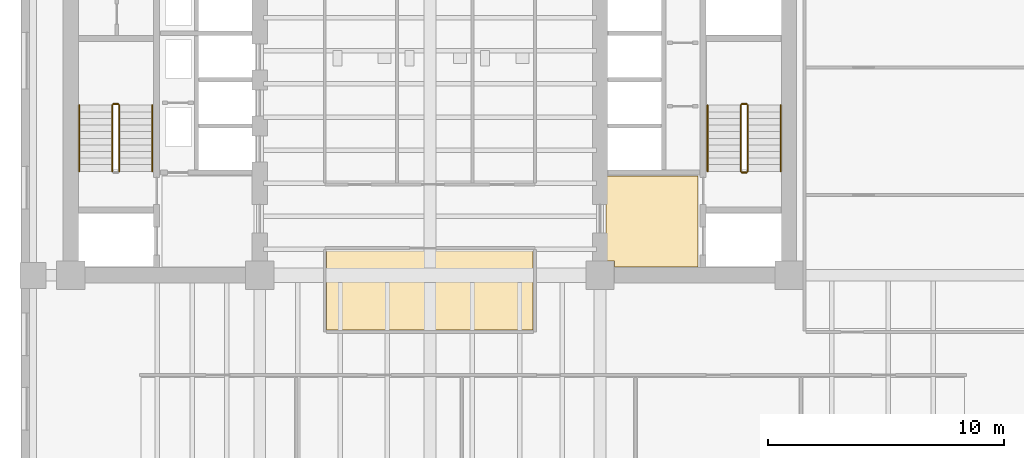
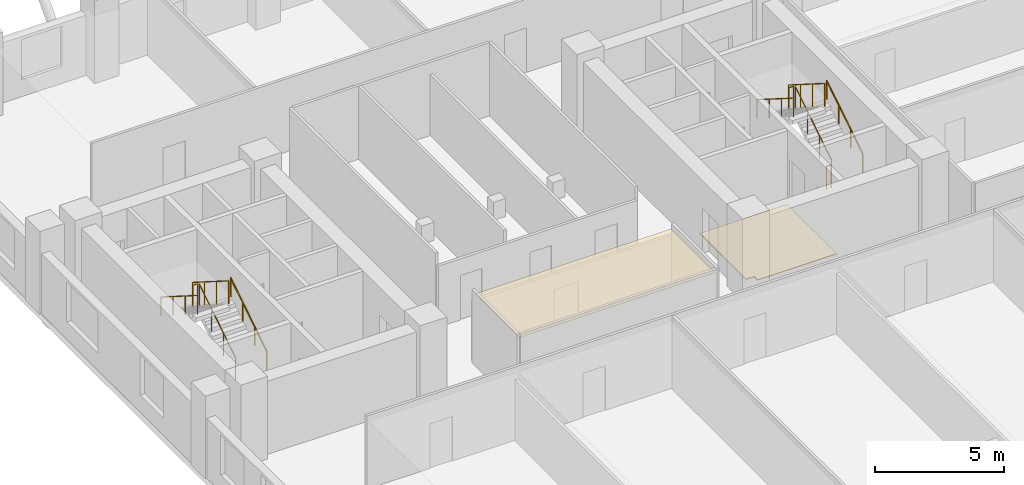
# One storey, part 10 of 12: 11 railings, 2 coverings.
"""IFC4 building model written with IfcOpenShell, lengths in metres."""

from ifc_helpers import new_model, si_unit, direction, frame, origin, origin_2d, place, context, subcontext, project, spatial, polyline, circle, outline, extrude, material, layer, layer_set, type_object, element, save


model = new_model("IFC4")

# Units and contexts
model_context = context("Model", 3, precision=1e-05, world=origin(), true_north=direction((0.0, 1.0)))
body_context = subcontext(model_context, "Body", "Model", "MODEL_VIEW")
ifc_project = project(units=[si_unit("LENGTHUNIT", "METRE"), si_unit("AREAUNIT", "SQUARE_METRE"), si_unit("VOLUMEUNIT", "CUBIC_METRE"), si_unit("PLANEANGLEUNIT", "RADIAN"), si_unit("MASSUNIT", "GRAM", prefix="KILO")], contexts=[model_context])

# Site, building, storey
site_placement = place(None, origin())
site = spatial("IfcSite", under=ifc_project, at=site_placement, CompositionType="ELEMENT")
building_placement = place(site_placement, origin())
building = spatial("IfcBuilding", under=site, at=building_placement, Name="Kranthara Brick Stack", CompositionType="ELEMENT")
storey_placement = place(building_placement, frame((0.0, 0.0, 67.199951171875)))
storey = spatial("IfcBuildingStorey", under=building, at=storey_placement, Name="L16", CompositionType="ELEMENT", Elevation=67.199951171875)

# Coverings
ifc_material_1 = material(Name="Perforated mineral-fibre acoustic ceiling tile", Category="other")
ifc_layer_1 = layer(ifc_material_1, 0.02490234375)
ifc_layer_set_1 = layer_set([ifc_layer_1], Name="Perforated mineral-fibre acoustic ceiling tile")
covering_type_1 = type_object("IfcCoveringType", Name="COV-CEIL-ACOUSTIC", PredefinedType="CEILING", material=ifc_layer_set_1)
covering_1_placement = place(storey_placement, frame((0.0, 0.0, 3.179931640625)))
element("IfcCovering", 1, at=covering_1_placement, inside=storey, type_object=covering_type_1, Name="L16 L16 Central Executive Briefing Room Acoustic Ceiling", PredefinedType="CEILING", context=body_context, shape_type="SweptSolid", body=[
    extrude(outline(polyline([(32.3701171875, 18.47998046875), (32.3701171875, 21.8798828125), (23.6298828125, 21.8798828125), (23.6298828125, 18.47998046875), (32.3701171875, 18.47998046875)])), origin(), (0.0, 0.0, 1.0), 0.025146484375),
])
ifc_material_2 = material(Name="Honed terrazzo and porcelain floor finish", Category="stone")
ifc_layer_2 = layer(ifc_material_2, 0.030029296875)
ifc_layer_set_2 = layer_set([ifc_layer_2], Name="Honed terrazzo and porcelain floor finish")
covering_type_2 = type_object("IfcCoveringType", Name="COV-FLOR-STONE", PredefinedType="FLOORING", material=ifc_layer_set_2)
covering_2_placement = place(storey_placement, origin())
element("IfcCovering", 2, at=covering_2_placement, inside=storey, type_object=covering_type_2, Name="L16 Lift Lobby Stone Flooring", PredefinedType="FLOORING", context=body_context, shape_type="SweptSolid", body=[
    extrude(outline(polyline([(35.449951171875, 25.0), (39.35009765625, 25.0), (39.35009765625, 21.14990234375), (35.81005859375, 21.14990234375), (35.81005859375, 21.409912109375), (35.449951171875, 21.409912109375), (35.449951171875, 25.0)])), origin(), (0.0, 0.0, 1.0), 0.030029296875),
])

# Railings
ifc_material_3 = material(Name="Painted galvanized steel stair guardrail", Category="steel")
railing_type_1 = type_object("IfcRailingType", Name="RL-STAIR-GUARD-1100", PredefinedType="GUARDRAIL", material=ifc_material_3)
railing_1_placement = place(storey_placement, frame((14.85009765625, 25.199951171875, 0.17724609375)))
element("IfcRailing", 3, at=railing_1_placement, inside=storey, type_object=railing_type_1, Name="L16 ST01 stair guard 1", PredefinedType="GUARDRAIL", context=body_context, shape_type="SweptSolid", body=[
    extrude(circle(Radius=0.02392578125, at=origin_2d()), frame((0.0, 0.0, 1.076171875), z_axis=(0.0, 0.844908973607, 0.534910110503), x_axis=(-1.0, 0.0, 0.0)), (0.0, 0.0, 1.0), 3.31396484375),
    extrude(circle(Radius=0.02099609375, at=origin_2d()), origin(), (0.0, 0.0, 1.0), 1.052001953125),
    extrude(circle(Radius=0.02099609375, at=origin_2d()), frame((0.0, 0.933349609375, 0.5908203125)), (0.0, 0.0, 1.0), 1.052001953125),
    extrude(circle(Radius=0.02099609375, at=origin_2d()), frame((0.0, 1.86669921875, 1.181884765625)), (0.0, 0.0, 1.0), 1.052001953125),
    extrude(circle(Radius=0.02099609375, at=origin_2d()), frame((0.0, 2.800048828125, 1.772705078125)), (0.0, 0.0, 1.0), 1.052001953125),
])
railing_2_placement = place(storey_placement, frame((14.800048828125, 28.050048828125, 1.949951171875)))
element("IfcRailing", 4, at=railing_2_placement, inside=storey, type_object=railing_type_1, Name="L16 ST01 stair guard 2", PredefinedType="GUARDRAIL", context=body_context, shape_type="SweptSolid", body=[
    extrude(circle(Radius=0.02392578125, at=origin_2d()), frame((0.0, 0.0, 1.076171875), z_axis=(-1.0, 0.0, 0.0), x_axis=(0.0, -1.0, 0.0)), (0.0, 0.0, 1.0), 0.199951171875),
    extrude(circle(Radius=0.02099609375, at=origin_2d()), origin(), (0.0, 0.0, 1.0), 1.052001953125),
    extrude(circle(Radius=0.02099609375, at=origin_2d()), frame((-0.199951171875, 0.0, 0.0)), (0.0, 0.0, 1.0), 1.052001953125),
])
railing_3_placement = place(storey_placement, frame((14.550048828125, 28.0, 2.12744140625)))
element("IfcRailing", 5, at=railing_3_placement, inside=storey, type_object=railing_type_1, Name="L16 ST01 stair guard 3", PredefinedType="GUARDRAIL", context=body_context, shape_type="SweptSolid", body=[
    extrude(circle(Radius=0.02392578125, at=origin_2d()), frame((0.0, 0.0, 1.076171875), z_axis=(0.0, -0.844908973607, 0.534910110503), x_axis=(1.0, 0.0, 0.0)), (0.0, 0.0, 1.0), 3.31396484375),
    extrude(circle(Radius=0.02099609375, at=origin_2d()), origin(), (0.0, 0.0, 1.0), 1.052001953125),
    extrude(circle(Radius=0.02099609375, at=origin_2d()), frame((0.0, -0.933349609375, 0.5908203125)), (0.0, 0.0, 1.0), 1.052001953125),
    extrude(circle(Radius=0.02099609375, at=origin_2d()), frame((0.0, -1.86669921875, 1.181884765625)), (0.0, 0.0, 1.0), 1.052001953125),
    extrude(circle(Radius=0.02099609375, at=origin_2d()), frame((0.0, -2.800048828125, 1.772705078125)), (0.0, 0.0, 1.0), 1.052001953125),
])
railing_4_placement = place(storey_placement, frame((41.449951171875, 25.199951171875, 0.17724609375)))
element("IfcRailing", 6, at=railing_4_placement, inside=storey, type_object=railing_type_1, Name="L16 ST02 stair guard 1", PredefinedType="GUARDRAIL", context=body_context, shape_type="SweptSolid", body=[
    extrude(circle(Radius=0.02392578125, at=origin_2d()), frame((0.0, 0.0, 1.076171875), z_axis=(0.0, 0.844908973607, 0.534910110503), x_axis=(-1.0, 0.0, 0.0)), (0.0, 0.0, 1.0), 3.31396484375),
    extrude(circle(Radius=0.02099609375, at=origin_2d()), origin(), (0.0, 0.0, 1.0), 1.052001953125),
    extrude(circle(Radius=0.02099609375, at=origin_2d()), frame((0.0, 0.933349609375, 0.5908203125)), (0.0, 0.0, 1.0), 1.052001953125),
    extrude(circle(Radius=0.02099609375, at=origin_2d()), frame((0.0, 1.86669921875, 1.181884765625)), (0.0, 0.0, 1.0), 1.052001953125),
    extrude(circle(Radius=0.02099609375, at=origin_2d()), frame((0.0, 2.800048828125, 1.772705078125)), (0.0, 0.0, 1.0), 1.052001953125),
])
railing_5_placement = place(storey_placement, frame((41.39990234375, 28.050048828125, 1.949951171875)))
element("IfcRailing", 7, at=railing_5_placement, inside=storey, type_object=railing_type_1, Name="L16 ST02 stair guard 2", PredefinedType="GUARDRAIL", context=body_context, shape_type="SweptSolid", body=[
    extrude(circle(Radius=0.02392578125, at=origin_2d()), frame((0.0, 0.0, 1.076171875), z_axis=(-1.0, 0.0, 0.0), x_axis=(0.0, -1.0, 0.0)), (0.0, 0.0, 1.0), 0.199951171875),
    extrude(circle(Radius=0.02099609375, at=origin_2d()), origin(), (0.0, 0.0, 1.0), 1.052001953125),
    extrude(circle(Radius=0.02099609375, at=origin_2d()), frame((-0.199951171875, 0.0, 0.0)), (0.0, 0.0, 1.0), 1.052001953125),
])
railing_6_placement = place(storey_placement, frame((41.14990234375, 28.0, 2.12744140625)))
element("IfcRailing", 8, at=railing_6_placement, inside=storey, type_object=railing_type_1, Name="L16 ST02 stair guard 3", PredefinedType="GUARDRAIL", context=body_context, shape_type="SweptSolid", body=[
    extrude(circle(Radius=0.02392578125, at=origin_2d()), frame((0.0, 0.0, 1.076171875), z_axis=(0.0, -0.844908973607, 0.534910110503), x_axis=(1.0, 0.0, 0.0)), (0.0, 0.0, 1.0), 3.31396484375),
    extrude(circle(Radius=0.02099609375, at=origin_2d()), origin(), (0.0, 0.0, 1.0), 1.052001953125),
    extrude(circle(Radius=0.02099609375, at=origin_2d()), frame((0.0, -0.933349609375, 0.5908203125)), (0.0, 0.0, 1.0), 1.052001953125),
    extrude(circle(Radius=0.02099609375, at=origin_2d()), frame((0.0, -1.86669921875, 1.181884765625)), (0.0, 0.0, 1.0), 1.052001953125),
    extrude(circle(Radius=0.02099609375, at=origin_2d()), frame((0.0, -2.800048828125, 1.772705078125)), (0.0, 0.0, 1.0), 1.052001953125),
])
railing_7_placement = place(storey_placement, frame((41.39990234375, 25.14990234375, 0.0)))
element("IfcRailing", 9, at=railing_7_placement, inside=storey, type_object=railing_type_1, Name="L16 ST02 stair guard 4", PredefinedType="GUARDRAIL", context=body_context, shape_type="SweptSolid", body=[
    extrude(circle(Radius=0.02392578125, at=origin_2d()), frame((0.0, 0.0, 1.076171875), z_axis=(-1.0, 0.0, 0.0), x_axis=(0.0, -1.0, 0.0)), (0.0, 0.0, 1.0), 0.199951171875),
    extrude(circle(Radius=0.02099609375, at=origin_2d()), origin(), (0.0, 0.0, 1.0), 1.052001953125),
    extrude(circle(Radius=0.02099609375, at=origin_2d()), frame((-0.199951171875, 0.0, 0.0)), (0.0, 0.0, 1.0), 1.052001953125),
])
ifc_material_4 = material(Name="Brushed stainless steel tubular handrail", Category="steel")
railing_type_2 = type_object("IfcRailingType", Name="RL-STAIR-HAND-900", PredefinedType="HANDRAIL", material=ifc_material_4)
railing_8_placement = place(storey_placement, frame((16.25, 25.199951171875, 0.17724609375)))
element("IfcRailing", 10, at=railing_8_placement, inside=storey, type_object=railing_type_2, Name="L16 ST01 stair handrail 1", PredefinedType="HANDRAIL", context=body_context, shape_type="SweptSolid", body=[
    extrude(circle(Radius=0.02392578125, at=origin_2d()), frame((0.0, 0.0, 0.8759765625), z_axis=(0.0, 0.844908973607, 0.534910110503), x_axis=(-1.0, 0.0, 0.0)), (0.0, 0.0, 1.0), 3.31396484375),
    extrude(circle(Radius=0.02099609375, at=origin_2d()), origin(), (0.0, 0.0, 1.0), 0.851806640625),
    extrude(circle(Radius=0.02099609375, at=origin_2d()), frame((0.0, 0.933349609375, 0.5908203125)), (0.0, 0.0, 1.0), 0.851806640625),
    extrude(circle(Radius=0.02099609375, at=origin_2d()), frame((0.0, 1.86669921875, 1.181884765625)), (0.0, 0.0, 1.0), 0.851806640625),
    extrude(circle(Radius=0.02099609375, at=origin_2d()), frame((0.0, 2.800048828125, 1.772705078125)), (0.0, 0.0, 1.0), 0.851806640625),
])
railing_9_placement = place(storey_placement, frame((13.14990234375, 28.0, 2.12744140625)))
element("IfcRailing", 11, at=railing_9_placement, inside=storey, type_object=railing_type_2, Name="L16 ST01 stair handrail 2", PredefinedType="HANDRAIL", context=body_context, shape_type="SweptSolid", body=[
    extrude(circle(Radius=0.02392578125, at=origin_2d()), frame((0.0, 0.0, 0.8759765625), z_axis=(0.0, -0.844908973607, 0.534910110503), x_axis=(1.0, 0.0, 0.0)), (0.0, 0.0, 1.0), 3.31396484375),
    extrude(circle(Radius=0.02099609375, at=origin_2d()), origin(), (0.0, 0.0, 1.0), 0.851806640625),
    extrude(circle(Radius=0.02099609375, at=origin_2d()), frame((0.0, -0.933349609375, 0.5908203125)), (0.0, 0.0, 1.0), 0.851806640625),
    extrude(circle(Radius=0.02099609375, at=origin_2d()), frame((0.0, -1.86669921875, 1.181884765625)), (0.0, 0.0, 1.0), 0.851806640625),
    extrude(circle(Radius=0.02099609375, at=origin_2d()), frame((0.0, -2.800048828125, 1.772705078125)), (0.0, 0.0, 1.0), 0.851806640625),
])
railing_10_placement = place(storey_placement, frame((42.85009765625, 25.199951171875, 0.17724609375)))
element("IfcRailing", 12, at=railing_10_placement, inside=storey, type_object=railing_type_2, Name="L16 ST02 stair handrail 1", PredefinedType="HANDRAIL", context=body_context, shape_type="SweptSolid", body=[
    extrude(circle(Radius=0.02392578125, at=origin_2d()), frame((0.0, 0.0, 0.8759765625), z_axis=(0.0, 0.844908973607, 0.534910110503), x_axis=(-1.0, 0.0, 0.0)), (0.0, 0.0, 1.0), 3.31396484375),
    extrude(circle(Radius=0.02099609375, at=origin_2d()), origin(), (0.0, 0.0, 1.0), 0.851806640625),
    extrude(circle(Radius=0.02099609375, at=origin_2d()), frame((0.0, 0.933349609375, 0.5908203125)), (0.0, 0.0, 1.0), 0.851806640625),
    extrude(circle(Radius=0.02099609375, at=origin_2d()), frame((0.0, 1.86669921875, 1.181884765625)), (0.0, 0.0, 1.0), 0.851806640625),
    extrude(circle(Radius=0.02099609375, at=origin_2d()), frame((0.0, 2.800048828125, 1.772705078125)), (0.0, 0.0, 1.0), 0.851806640625),
])
railing_11_placement = place(storey_placement, frame((39.75, 28.0, 2.12744140625)))
element("IfcRailing", 13, at=railing_11_placement, inside=storey, type_object=railing_type_2, Name="L16 ST02 stair handrail 2", PredefinedType="HANDRAIL", context=body_context, shape_type="SweptSolid", body=[
    extrude(circle(Radius=0.02392578125, at=origin_2d()), frame((0.0, 0.0, 0.8759765625), z_axis=(0.0, -0.844908973607, 0.534910110503), x_axis=(1.0, 0.0, 0.0)), (0.0, 0.0, 1.0), 3.31396484375),
    extrude(circle(Radius=0.02099609375, at=origin_2d()), origin(), (0.0, 0.0, 1.0), 0.851806640625),
    extrude(circle(Radius=0.02099609375, at=origin_2d()), frame((0.0, -0.933349609375, 0.5908203125)), (0.0, 0.0, 1.0), 0.851806640625),
    extrude(circle(Radius=0.02099609375, at=origin_2d()), frame((0.0, -1.86669921875, 1.181884765625)), (0.0, 0.0, 1.0), 0.851806640625),
    extrude(circle(Radius=0.02099609375, at=origin_2d()), frame((0.0, -2.800048828125, 1.772705078125)), (0.0, 0.0, 1.0), 0.851806640625),
])

save(model, "model.ifc")
